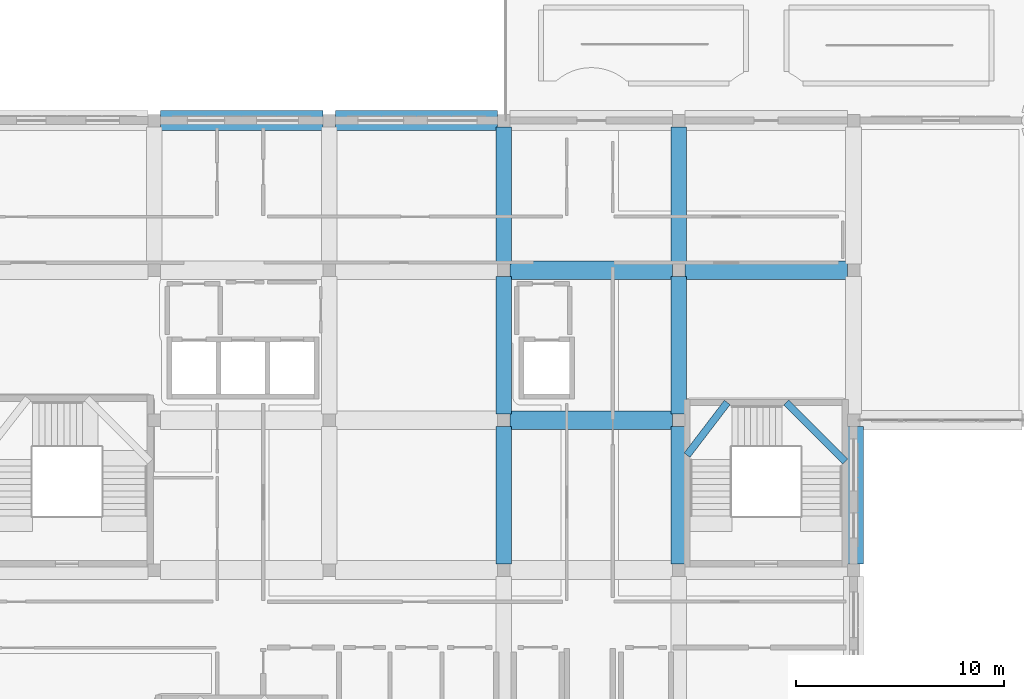
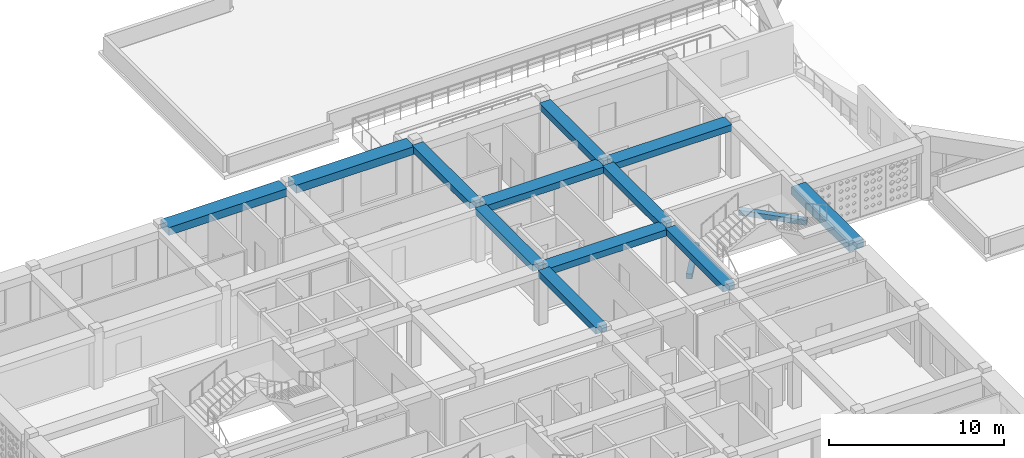
# One storey, part 13 of 48: 14 beams.
"""IFC4 building model written with IfcOpenShell, lengths in metres."""

from ifc_helpers import new_model, si_unit, derived_unit, direction, frame, origin, origin_2d, place, context, subcontext, project, spatial, rectangle, extrude, material, material_profile, profile_set, type_object, element, save


model = new_model("IFC4")

# Units and contexts
model_context = context("Model", 3, precision=1e-05, world=origin(), true_north=direction((0.0, 1.0)))
body_context = subcontext(model_context, "Body", "Model", "MODEL_VIEW")
ifc_project = project(units=[si_unit("LENGTHUNIT", "METRE"), si_unit("AREAUNIT", "SQUARE_METRE"), si_unit("VOLUMEUNIT", "CUBIC_METRE"), si_unit("PLANEANGLEUNIT", "RADIAN"), si_unit("MASSUNIT", "GRAM", prefix="KILO"), derived_unit("THERMALTRANSMITTANCEUNIT", [(si_unit("POWERUNIT", "WATT"), 1), (si_unit("LENGTHUNIT", "METRE"), -2), (si_unit("THERMODYNAMICTEMPERATUREUNIT", "KELVIN"), -1)])], contexts=[model_context])

# Site, building, storey
site_placement = place(None, origin())
site = spatial("IfcSite", under=ifc_project, at=site_placement, CompositionType="ELEMENT")
building_placement = place(site_placement, origin())
building = spatial("IfcBuilding", under=site, at=building_placement, Name="Veybourne Emporium", CompositionType="ELEMENT")
storey_placement = place(building_placement, frame((0.0, 0.0, 27.89990234375)))
storey = spatial("IfcBuildingStorey", under=building, at=storey_placement, Name="L06", CompositionType="ELEMENT", Elevation=27.89990234375)

# Beams
ifc_material = material(Name="Concrete C32/40", Category="concrete")
ifc_material_profile_1 = material_profile(ifc_material, rectangle(XDim=0.35009765625, YDim=0.35009765625, at=origin_2d()), Name="RC 350x350")
ifc_profile_set_1 = profile_set([ifc_material_profile_1], Name="Concrete C32/40")
beam_type_1 = type_object("IfcBeamType", Name="LandingBeam_LB-01", PredefinedType="BEAM", material=ifc_profile_set_1)
beam_1_placement = place(storey_placement, frame((42.39990234375, 34.320068359375, 1.125), z_axis=(0.606547000965, 0.795047631039, 0.0), x_axis=(-0.795047631039, 0.606547000965, 0.0)))
element("IfcBeam", 1, at=beam_1_placement, inside=storey, type_object=beam_type_1, Name="L06 ST-05 landing 1 support beam", PredefinedType="BEAM", context=body_context, shape_type="SweptSolid", body=[
    extrude(rectangle(XDim=0.35009765625, YDim=0.35009765625, at=origin_2d()), origin(), (0.0, 0.0, 1.0), 3.18212890625),
])
beam_2_placement = place(storey_placement, frame((47.169921875, 36.85009765625, 2.47509765625), z_axis=(0.707106781187, -0.707106781187, 0.0), x_axis=(0.707106781187, 0.707106781187, 0.0)))
element("IfcBeam", 2, at=beam_2_placement, inside=storey, type_object=beam_type_1, Name="L06 ST-05 landing 2 support beam", PredefinedType="BEAM", context=body_context, shape_type="SweptSolid", body=[
    extrude(rectangle(XDim=0.35009765625, YDim=0.35009765625, at=origin_2d()), origin(), (0.0, 0.0, 1.0), 4.00244140625),
])
ifc_material_profile_2 = material_profile(ifc_material, rectangle(XDim=0.89990234375, YDim=0.449951171875, at=origin_2d()), Name="RC 900x450")
ifc_profile_set_2 = profile_set([ifc_material_profile_2], Name="Concrete C32/40")
beam_type_2 = type_object("IfcBeamType", Name="RCBeam_BB-03", PredefinedType="BEAM", material=ifc_profile_set_2)
for number, where, z_axis, x_axis, name in (
    (3, (33.89990234375, 36.0, 3.68505859375), (1.0, 0.0, 0.0), (0.0, 1.0, 0.0), "L06 X-grid beam BB-03 (4,5)"),
    (4, (33.89990234375, 43.199951171875, 3.68505859375), (1.0, 0.0, 0.0), (0.0, 1.0, 0.0), "L06 X-grid beam BB-03 (4,6)"),
    (5, (42.300048828125, 43.199951171875, 3.68505859375), (1.0, 0.0, 0.0), (0.0, 1.0, 0.0), "L06 X-grid beam BB-03 (5,6)"),
):
    element("IfcBeam", number, at=place(storey_placement, frame(where, z_axis=z_axis, x_axis=x_axis)), inside=storey, type_object=beam_type_2, Name=name, PredefinedType="BEAM", context=body_context, shape_type="SweptSolid", body=[
        extrude(rectangle(XDim=0.89990234375, YDim=0.449951171875, at=origin_2d()), origin(), (0.0, 0.0, 1.0), 7.800048828125),
    ])
ifc_material_profile_3 = material_profile(ifc_material, rectangle(XDim=0.75, YDim=0.449951171875, at=origin_2d()), Name="RC 750x450")
ifc_profile_set_3 = profile_set([ifc_material_profile_3], Name="Concrete C32/40")
beam_type_3 = type_object("IfcBeamType", Name="RCBeam_BB-04", PredefinedType="BEAM", material=ifc_profile_set_3)
for number, where, z_axis, x_axis, name in (
    (6, (33.60009765625, 29.10009765625, 3.68505859375), (0.0, 1.0, 0.0), (-1.0, 0.0, 0.0), "L06 Y-grid beam BB-04 (4,4)"),
    (7, (33.60009765625, 36.300048828125, 3.68505859375), (0.0, 1.0, 0.0), (-1.0, 0.0, 0.0), "L06 Y-grid beam BB-04 (4,5)"),
):
    element("IfcBeam", number, at=place(storey_placement, frame(where, z_axis=z_axis, x_axis=x_axis)), inside=storey, type_object=beam_type_3, Name=name, PredefinedType="BEAM", context=body_context, shape_type="SweptSolid", body=[
        extrude(rectangle(XDim=0.75, YDim=0.449951171875, at=origin_2d()), origin(), (0.0, 0.0, 1.0), 6.599853515625),
    ])
beam_3_placement = place(storey_placement, frame((33.60009765625, 43.5, 3.68505859375), z_axis=(0.0, 1.0, 0.0), x_axis=(-1.0, 0.0, 0.0)))
element("IfcBeam", 8, at=beam_3_placement, inside=storey, type_object=beam_type_3, Name="L06 Y-grid beam BB-04 (4,6)", PredefinedType="BEAM", context=body_context, shape_type="SweptSolid", body=[
    extrude(rectangle(XDim=0.75, YDim=0.449951171875, at=origin_2d()), origin(), (0.0, 0.0, 1.0), 6.60009765625),
])
for number, where, z_axis, x_axis, name in (
    (9, (42.0, 29.10009765625, 3.68505859375), (0.0, 1.0, 0.0), (-1.0, 0.0, 0.0), "L06 Y-grid beam BB-04 (5,4)"),
    (10, (42.0, 36.300048828125, 3.68505859375), (0.0, 1.0, 0.0), (-1.0, 0.0, 0.0), "L06 Y-grid beam BB-04 (5,5)"),
):
    element("IfcBeam", number, at=place(storey_placement, frame(where, z_axis=z_axis, x_axis=x_axis)), inside=storey, type_object=beam_type_3, Name=name, PredefinedType="BEAM", context=body_context, shape_type="SweptSolid", body=[
        extrude(rectangle(XDim=0.75, YDim=0.449951171875, at=origin_2d()), origin(), (0.0, 0.0, 1.0), 6.599853515625),
    ])
beam_4_placement = place(storey_placement, frame((42.0, 43.5, 3.68505859375), z_axis=(0.0, 1.0, 0.0), x_axis=(-1.0, 0.0, 0.0)))
element("IfcBeam", 11, at=beam_4_placement, inside=storey, type_object=beam_type_3, Name="L06 Y-grid beam BB-04 (5,6)", PredefinedType="BEAM", context=body_context, shape_type="SweptSolid", body=[
    extrude(rectangle(XDim=0.75, YDim=0.449951171875, at=origin_2d()), origin(), (0.0, 0.0, 1.0), 6.60009765625),
])
ifc_material_profile_4 = material_profile(ifc_material, rectangle(XDim=0.949951171875, YDim=0.550048828125, at=origin_2d()), Name="RC 950x550")
ifc_profile_set_4 = profile_set([ifc_material_profile_4], Name="Concrete C32/40")
beam_type_4 = type_object("IfcBeamType", Name="RCBeam_EB-01", PredefinedType="SPANDREL", material=ifc_profile_set_4)
beam_5_placement = place(storey_placement, frame((17.10009765625, 50.39990234375, 3.635009765625), z_axis=(1.0, 0.0, 0.0), x_axis=(0.0, 1.0, 0.0)))
element("IfcBeam", 12, at=beam_5_placement, inside=storey, type_object=beam_type_4, Name="L06 X-grid beam EB-01 (2,7)", PredefinedType="SPANDREL", context=body_context, shape_type="SweptSolid", body=[
    extrude(rectangle(XDim=0.949951171875, YDim=0.550048828125, at=origin_2d()), origin(), (0.0, 0.0, 1.0), 7.7998046875),
])
beam_6_placement = place(storey_placement, frame((25.5, 50.39990234375, 3.635009765625), z_axis=(1.0, 0.0, 0.0), x_axis=(0.0, 1.0, 0.0)))
element("IfcBeam", 13, at=beam_6_placement, inside=storey, type_object=beam_type_4, Name="L06 X-grid beam EB-01 (3,7)", PredefinedType="SPANDREL", context=body_context, shape_type="SweptSolid", body=[
    extrude(rectangle(XDim=0.949951171875, YDim=0.550048828125, at=origin_2d()), origin(), (0.0, 0.0, 1.0), 7.800048828125),
])
beam_7_placement = place(storey_placement, frame((50.39990234375, 29.10009765625, 3.635009765625), z_axis=(0.0, 1.0, 0.0), x_axis=(-1.0, 0.0, 0.0)))
element("IfcBeam", 14, at=beam_7_placement, inside=storey, type_object=beam_type_4, Name="L06 Y-grid beam EB-01 (6,4)", PredefinedType="SPANDREL", context=body_context, shape_type="SweptSolid", body=[
    extrude(rectangle(XDim=0.949951171875, YDim=0.550048828125, at=origin_2d()), origin(), (0.0, 0.0, 1.0), 6.599853515625),
])

save(model, "model.ifc")
